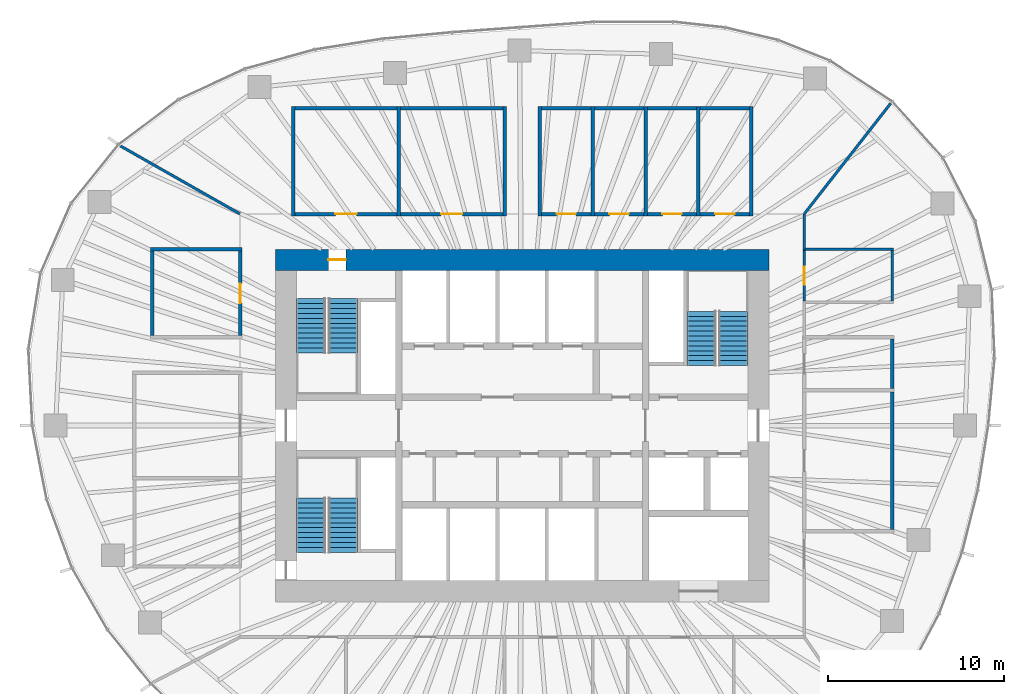
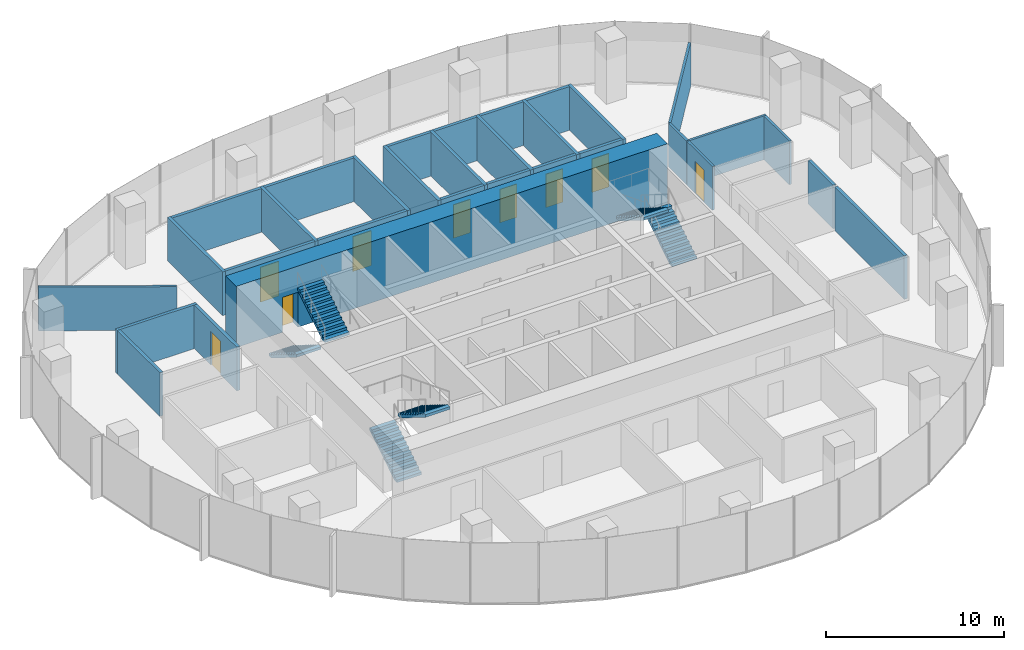
# One storey, part 10 of 11: 32 walls, 9 doors, 6 stair flights, 9 openings, 3 elements without a shape of their own.
"""IFC4 building model written with IfcOpenShell, lengths in metres."""

from ifc_helpers import new_model, si_unit, direction, frame, frame_2d, origin, place, context, subcontext, project, spatial, polyline, rectangle, outline, extrude, material, layer, layer_set, type_object, element, fill, aggregate, save


model = new_model("IFC4")

# Units and contexts
model_context = context("Model", 3, precision=1e-05, world=origin(), true_north=direction((0.0, 1.0)))
body_context = subcontext(model_context, "Body", "Model", "MODEL_VIEW")
ifc_project = project(units=[si_unit("LENGTHUNIT", "METRE"), si_unit("AREAUNIT", "SQUARE_METRE"), si_unit("VOLUMEUNIT", "CUBIC_METRE"), si_unit("PLANEANGLEUNIT", "RADIAN"), si_unit("MASSUNIT", "GRAM", prefix="KILO")], contexts=[model_context])

# Site, building, storey
site_placement = place(None, origin())
site = spatial("IfcSite", under=ifc_project, at=site_placement, CompositionType="ELEMENT")
building_placement = place(site_placement, origin())
building = spatial("IfcBuilding", under=site, at=building_placement, Name="Ghaith Harvest Tower", CompositionType="ELEMENT")
storey_placement = place(building_placement, frame((0.0, 0.0, 211.60009765625)))
storey = spatial("IfcBuildingStorey", under=building, at=storey_placement, Name="L46", CompositionType="ELEMENT", Elevation=211.60009765625)

# Walls
ifc_material_1 = material(Name="Twin-stud gypsum board, acoustic", Category="gypsum")
ifc_layer_1 = layer(ifc_material_1, 0.199951171875)
ifc_layer_set_1 = layer_set([ifc_layer_1], Name="ACOUSTIC PARTITION 200")
wall_type_1 = type_object("IfcWallType", Name="ACOUSTIC PARTITION 200", PredefinedType="PARTITIONING", material=ifc_layer_set_1)
for number, where, z_axis, x_axis, name in (
    (1, (-13.0, 11.89990234375, 0.0), (0.0, 0.0, 1.0), (0.0, 1.0, 0.0), "Partition L46 row N1 cross wall 1"),
    (2, (-7.0, 11.89990234375, 0.0), (0.0, 0.0, 1.0), (0.0, 1.0, 0.0), "Partition L46 row N1 cross wall 2"),
    (3, (-1.0, 11.89990234375, 0.0), (0.0, 0.0, 1.0), (0.0, 1.0, 0.0), "Partition L46 row N1 cross wall 3"),
):
    element("IfcWall", number, at=place(storey_placement, frame(where, z_axis=z_axis, x_axis=x_axis)), inside=storey, type_object=wall_type_1, Name=name, PredefinedType="PARTITIONING", context=body_context, shape_type="SweptSolid", body=[
        extrude(rectangle(XDim=6.2001953125, YDim=0.199951171875, at=frame_2d((3.10009765625, 0.0))), origin(), (0.0, 0.0, 1.0), 3.0),
    ])

# Wall, opening, door
wall_1_placement = place(storey_placement, frame((-12.89990234375, 12.0, 0.0), z_axis=(0.0, 0.0, 1.0), x_axis=(1.0, 0.0, 0.0)))
wall_1 = element("IfcWall", 4, at=wall_1_placement, inside=storey, type_object=wall_type_1, Name="Partition L46-01", PredefinedType="PARTITIONING", context=body_context, shape_type="SweptSolid", body=[
    extrude(rectangle(XDim=5.7998046875, YDim=0.199951171875, at=frame_2d((2.89990234375, 0.0))), origin(), (0.0, 0.0, 1.0), 3.0),
])
opening_1_placement = place(wall_1_placement, frame((2.300048828125, 0.0, 0.0)))
opening_1 = element("IfcOpeningElement", 5, at=opening_1_placement, cuts=wall_1, Name="Opening 46-022", PredefinedType="OPENING", context=body_context, shape_type="SweptSolid", body=[
    extrude(rectangle(XDim=1.199951171875, YDim=2.39990234375, at=frame_2d((0.60009765625, 1.199951171875))), frame((0.0, 0.10986328125, 0.0), z_axis=(0.0, -1.0, 0.0), x_axis=(1.0, 0.0, 0.0)), (0.0, 0.0, 1.0), 0.219970703125),
])
ifc_material_2 = material(Name="Timber door", Category="wood")
door_type_1 = type_object("IfcDoorType", Name="D11 GLAZED 1200x2400", OperationType="SINGLE_SWING_LEFT", PredefinedType="DOOR", material=ifc_material_2)
door_1_placement = place(opening_1_placement, origin())
door_1 = element("IfcDoor", 6, at=door_1_placement, inside=storey, type_object=door_type_1, Name="Meeting room door", OperationType="SINGLE_SWING_LEFT", OverallHeight=2.39990234375, OverallWidth=1.199951171875, PredefinedType="DOOR", context=body_context, shape_type="SweptSolid", body=[
    extrude(rectangle(XDim=1.199951171875, YDim=2.39990234375, at=frame_2d((0.60009765625, 1.199951171875))), frame((0.0, 0.02490234375, 0.0), z_axis=(0.0, -1.0, 0.0), x_axis=(1.0, 0.0, 0.0)), (0.0, 0.0, 1.0), 0.050048828125),
])
fill(opening_1, door_1)

# Wall
wall_2_placement = place(storey_placement, frame((-12.89990234375, 18.0, 0.0), z_axis=(0.0, 0.0, 1.0), x_axis=(1.0, 0.0, 0.0)))
element("IfcWall", 7, at=wall_2_placement, inside=storey, type_object=wall_type_1, Name="Partition L46-01", PredefinedType="PARTITIONING", context=body_context, shape_type="SweptSolid", body=[
    extrude(rectangle(XDim=5.7998046875, YDim=0.199951171875, at=frame_2d((2.89990234375, 0.0))), origin(), (0.0, 0.0, 1.0), 3.0),
])

# Wall, opening, door
wall_3_placement = place(storey_placement, frame((-6.89990234375, 12.0, 0.0), z_axis=(0.0, 0.0, 1.0), x_axis=(1.0, 0.0, 0.0)))
wall_3 = element("IfcWall", 8, at=wall_3_placement, inside=storey, type_object=wall_type_1, Name="Partition L46-02", PredefinedType="PARTITIONING", context=body_context, shape_type="SweptSolid", body=[
    extrude(rectangle(XDim=5.7998046875, YDim=0.199951171875, at=frame_2d((2.89990234375, 0.0))), origin(), (0.0, 0.0, 1.0), 3.0),
])
opening_2_placement = place(wall_3_placement, frame((2.300048828125, 0.0, 0.0)))
opening_2 = element("IfcOpeningElement", 9, at=opening_2_placement, cuts=wall_3, Name="Opening 46-023", PredefinedType="OPENING", context=body_context, shape_type="SweptSolid", body=[
    extrude(rectangle(XDim=1.199951171875, YDim=2.39990234375, at=frame_2d((0.60009765625, 1.199951171875))), frame((0.0, 0.10986328125, 0.0), z_axis=(0.0, -1.0, 0.0), x_axis=(1.0, 0.0, 0.0)), (0.0, 0.0, 1.0), 0.219970703125),
])
door_2_placement = place(opening_2_placement, origin())
door_2 = element("IfcDoor", 10, at=door_2_placement, inside=storey, type_object=door_type_1, Name="Meeting room door", OperationType="SINGLE_SWING_LEFT", OverallHeight=2.39990234375, OverallWidth=1.199951171875, PredefinedType="DOOR", context=body_context, shape_type="SweptSolid", body=[
    extrude(rectangle(XDim=1.199951171875, YDim=2.39990234375, at=frame_2d((0.60009765625, 1.199951171875))), frame((0.0, 0.02490234375, 0.0), z_axis=(0.0, -1.0, 0.0), x_axis=(1.0, 0.0, 0.0)), (0.0, 0.0, 1.0), 0.050048828125),
])
fill(opening_2, door_2)

# Walls
wall_4_placement = place(storey_placement, frame((-6.89990234375, 18.0, 0.0), z_axis=(0.0, 0.0, 1.0), x_axis=(1.0, 0.0, 0.0)))
element("IfcWall", 11, at=wall_4_placement, inside=storey, type_object=wall_type_1, Name="Partition L46-02", PredefinedType="PARTITIONING", context=body_context, shape_type="SweptSolid", body=[
    extrude(rectangle(XDim=5.7998046875, YDim=0.199951171875, at=frame_2d((2.89990234375, 0.0))), origin(), (0.0, 0.0, 1.0), 3.0),
])
for number, where, z_axis, x_axis, name in (
    (12, (1.0, 11.89990234375, 0.0), (0.0, 0.0, 1.0), (0.0, 1.0, 0.0), "Partition L46 row N2 cross wall 1"),
    (13, (4.0, 11.89990234375, 0.0), (0.0, 0.0, 1.0), (0.0, 1.0, 0.0), "Partition L46 row N2 cross wall 2"),
    (14, (7.0, 11.89990234375, 0.0), (0.0, 0.0, 1.0), (0.0, 1.0, 0.0), "Partition L46 row N2 cross wall 3"),
    (15, (10.0, 11.89990234375, 0.0), (0.0, 0.0, 1.0), (0.0, 1.0, 0.0), "Partition L46 row N2 cross wall 4"),
    (16, (13.0, 11.89990234375, 0.0), (0.0, 0.0, 1.0), (0.0, 1.0, 0.0), "Partition L46 row N2 cross wall 5"),
):
    element("IfcWall", number, at=place(storey_placement, frame(where, z_axis=z_axis, x_axis=x_axis)), inside=storey, type_object=wall_type_1, Name=name, PredefinedType="PARTITIONING", context=body_context, shape_type="SweptSolid", body=[
        extrude(rectangle(XDim=6.2001953125, YDim=0.199951171875, at=frame_2d((3.10009765625, 0.0))), origin(), (0.0, 0.0, 1.0), 3.0),
    ])

# Wall, opening, door
wall_5_placement = place(storey_placement, frame((1.10009765625, 12.0, 0.0), z_axis=(0.0, 0.0, 1.0), x_axis=(1.0, 0.0, 0.0)))
wall_5 = element("IfcWall", 17, at=wall_5_placement, inside=storey, type_object=wall_type_1, Name="Partition L46-03", PredefinedType="PARTITIONING", context=body_context, shape_type="SweptSolid", body=[
    extrude(rectangle(XDim=2.7998046875, YDim=0.199951171875, at=frame_2d((1.39990234375, 0.0))), origin(), (0.0, 0.0, 1.0), 3.0),
])
opening_3_placement = place(wall_5_placement, frame((0.85009765625, 0.0, 0.0)))
opening_3 = element("IfcOpeningElement", 18, at=opening_3_placement, cuts=wall_5, Name="Opening 46-024", PredefinedType="OPENING", context=body_context, shape_type="SweptSolid", body=[
    extrude(rectangle(XDim=1.10009765625, YDim=2.300048828125, at=frame_2d((0.550048828125, 1.14990234375))), frame((0.0, 0.10986328125, 0.0), z_axis=(0.0, -1.0, 0.0), x_axis=(1.0, 0.0, 0.0)), (0.0, 0.0, 1.0), 0.219970703125),
])
ifc_material_3 = material(Name="Timber-framed glazed door", Category="wood")
door_type_2 = type_object("IfcDoorType", Name="D12 GLAZED OFFICE 1100x2300", OperationType="SINGLE_SWING_LEFT", PredefinedType="DOOR", material=ifc_material_3)
door_3_placement = place(opening_3_placement, origin())
door_3 = element("IfcDoor", 19, at=door_3_placement, inside=storey, type_object=door_type_2, Name="Focus room door", OperationType="SINGLE_SWING_LEFT", OverallHeight=2.300048828125, OverallWidth=1.10009765625, PredefinedType="DOOR", context=body_context, shape_type="SweptSolid", body=[
    extrude(rectangle(XDim=1.10009765625, YDim=2.300048828125, at=frame_2d((0.550048828125, 1.14990234375))), frame((0.0, 0.02490234375, 0.0), z_axis=(0.0, -1.0, 0.0), x_axis=(1.0, 0.0, 0.0)), (0.0, 0.0, 1.0), 0.050048828125),
])
fill(opening_3, door_3)

# Wall
wall_6_placement = place(storey_placement, frame((1.10009765625, 18.0, 0.0), z_axis=(0.0, 0.0, 1.0), x_axis=(1.0, 0.0, 0.0)))
element("IfcWall", 20, at=wall_6_placement, inside=storey, type_object=wall_type_1, Name="Partition L46-03", PredefinedType="PARTITIONING", context=body_context, shape_type="SweptSolid", body=[
    extrude(rectangle(XDim=2.7998046875, YDim=0.199951171875, at=frame_2d((1.39990234375, 0.0))), origin(), (0.0, 0.0, 1.0), 3.0),
])

# Wall, opening, door
wall_7_placement = place(storey_placement, frame((4.10009765625, 12.0, 0.0), z_axis=(0.0, 0.0, 1.0), x_axis=(1.0, 0.0, 0.0)))
wall_7 = element("IfcWall", 21, at=wall_7_placement, inside=storey, type_object=wall_type_1, Name="Partition L46-04", PredefinedType="PARTITIONING", context=body_context, shape_type="SweptSolid", body=[
    extrude(rectangle(XDim=2.7998046875, YDim=0.199951171875, at=frame_2d((1.39990234375, 0.0))), origin(), (0.0, 0.0, 1.0), 3.0),
])
opening_4_placement = place(wall_7_placement, frame((0.85009765625, 0.0, 0.0)))
opening_4 = element("IfcOpeningElement", 22, at=opening_4_placement, cuts=wall_7, Name="Opening 46-025", PredefinedType="OPENING", context=body_context, shape_type="SweptSolid", body=[
    extrude(rectangle(XDim=1.10009765625, YDim=2.300048828125, at=frame_2d((0.550048828125, 1.14990234375))), frame((0.0, 0.10986328125, 0.0), z_axis=(0.0, -1.0, 0.0), x_axis=(1.0, 0.0, 0.0)), (0.0, 0.0, 1.0), 0.219970703125),
])
door_4_placement = place(opening_4_placement, origin())
door_4 = element("IfcDoor", 23, at=door_4_placement, inside=storey, type_object=door_type_2, Name="Focus room door", OperationType="SINGLE_SWING_LEFT", OverallHeight=2.300048828125, OverallWidth=1.10009765625, PredefinedType="DOOR", context=body_context, shape_type="SweptSolid", body=[
    extrude(rectangle(XDim=1.10009765625, YDim=2.300048828125, at=frame_2d((0.550048828125, 1.14990234375))), frame((0.0, 0.02490234375, 0.0), z_axis=(0.0, -1.0, 0.0), x_axis=(1.0, 0.0, 0.0)), (0.0, 0.0, 1.0), 0.050048828125),
])
fill(opening_4, door_4)

# Wall
wall_8_placement = place(storey_placement, frame((4.10009765625, 18.0, 0.0), z_axis=(0.0, 0.0, 1.0), x_axis=(1.0, 0.0, 0.0)))
element("IfcWall", 24, at=wall_8_placement, inside=storey, type_object=wall_type_1, Name="Partition L46-04", PredefinedType="PARTITIONING", context=body_context, shape_type="SweptSolid", body=[
    extrude(rectangle(XDim=2.7998046875, YDim=0.199951171875, at=frame_2d((1.39990234375, 0.0))), origin(), (0.0, 0.0, 1.0), 3.0),
])

# Wall, opening, door
wall_9_placement = place(storey_placement, frame((7.10009765625, 12.0, 0.0), z_axis=(0.0, 0.0, 1.0), x_axis=(1.0, 0.0, 0.0)))
wall_9 = element("IfcWall", 25, at=wall_9_placement, inside=storey, type_object=wall_type_1, Name="Partition L46-05", PredefinedType="PARTITIONING", context=body_context, shape_type="SweptSolid", body=[
    extrude(rectangle(XDim=2.7998046875, YDim=0.199951171875, at=frame_2d((1.39990234375, 0.0))), origin(), (0.0, 0.0, 1.0), 3.0),
])
opening_5_placement = place(wall_9_placement, frame((0.85009765625, 0.0, 0.0)))
opening_5 = element("IfcOpeningElement", 26, at=opening_5_placement, cuts=wall_9, Name="Opening 46-026", PredefinedType="OPENING", context=body_context, shape_type="SweptSolid", body=[
    extrude(rectangle(XDim=1.10009765625, YDim=2.300048828125, at=frame_2d((0.550048828125, 1.14990234375))), frame((0.0, 0.10986328125, 0.0), z_axis=(0.0, -1.0, 0.0), x_axis=(1.0, 0.0, 0.0)), (0.0, 0.0, 1.0), 0.219970703125),
])
door_5_placement = place(opening_5_placement, origin())
door_5 = element("IfcDoor", 27, at=door_5_placement, inside=storey, type_object=door_type_2, Name="Focus room door", OperationType="SINGLE_SWING_LEFT", OverallHeight=2.300048828125, OverallWidth=1.10009765625, PredefinedType="DOOR", context=body_context, shape_type="SweptSolid", body=[
    extrude(rectangle(XDim=1.10009765625, YDim=2.300048828125, at=frame_2d((0.550048828125, 1.14990234375))), frame((0.0, 0.02490234375, 0.0), z_axis=(0.0, -1.0, 0.0), x_axis=(1.0, 0.0, 0.0)), (0.0, 0.0, 1.0), 0.050048828125),
])
fill(opening_5, door_5)

# Wall
wall_10_placement = place(storey_placement, frame((7.10009765625, 18.0, 0.0), z_axis=(0.0, 0.0, 1.0), x_axis=(1.0, 0.0, 0.0)))
element("IfcWall", 28, at=wall_10_placement, inside=storey, type_object=wall_type_1, Name="Partition L46-05", PredefinedType="PARTITIONING", context=body_context, shape_type="SweptSolid", body=[
    extrude(rectangle(XDim=2.7998046875, YDim=0.199951171875, at=frame_2d((1.39990234375, 0.0))), origin(), (0.0, 0.0, 1.0), 3.0),
])

# Wall, opening, door
wall_11_placement = place(storey_placement, frame((10.10009765625, 12.0, 0.0), z_axis=(0.0, 0.0, 1.0), x_axis=(1.0, 0.0, 0.0)))
wall_11 = element("IfcWall", 29, at=wall_11_placement, inside=storey, type_object=wall_type_1, Name="Partition L46-06", PredefinedType="PARTITIONING", context=body_context, shape_type="SweptSolid", body=[
    extrude(rectangle(XDim=2.7998046875, YDim=0.199951171875, at=frame_2d((1.39990234375, 0.0))), origin(), (0.0, 0.0, 1.0), 3.0),
])
opening_6_placement = place(wall_11_placement, frame((0.85009765625, 0.0, 0.0)))
opening_6 = element("IfcOpeningElement", 30, at=opening_6_placement, cuts=wall_11, Name="Opening 46-027", PredefinedType="OPENING", context=body_context, shape_type="SweptSolid", body=[
    extrude(rectangle(XDim=1.10009765625, YDim=2.300048828125, at=frame_2d((0.550048828125, 1.14990234375))), frame((0.0, 0.10986328125, 0.0), z_axis=(0.0, -1.0, 0.0), x_axis=(1.0, 0.0, 0.0)), (0.0, 0.0, 1.0), 0.219970703125),
])
door_6_placement = place(opening_6_placement, origin())
door_6 = element("IfcDoor", 31, at=door_6_placement, inside=storey, type_object=door_type_2, Name="Focus room door", OperationType="SINGLE_SWING_LEFT", OverallHeight=2.300048828125, OverallWidth=1.10009765625, PredefinedType="DOOR", context=body_context, shape_type="SweptSolid", body=[
    extrude(rectangle(XDim=1.10009765625, YDim=2.300048828125, at=frame_2d((0.550048828125, 1.14990234375))), frame((0.0, 0.02490234375, 0.0), z_axis=(0.0, -1.0, 0.0), x_axis=(1.0, 0.0, 0.0)), (0.0, 0.0, 1.0), 0.050048828125),
])
fill(opening_6, door_6)

# Walls
wall_12_placement = place(storey_placement, frame((10.10009765625, 18.0, 0.0), z_axis=(0.0, 0.0, 1.0), x_axis=(1.0, 0.0, 0.0)))
element("IfcWall", 32, at=wall_12_placement, inside=storey, type_object=wall_type_1, Name="Partition L46-06", PredefinedType="PARTITIONING", context=body_context, shape_type="SweptSolid", body=[
    extrude(rectangle(XDim=2.7998046875, YDim=0.199951171875, at=frame_2d((1.39990234375, 0.0))), origin(), (0.0, 0.0, 1.0), 3.0),
])
wall_13_placement = place(storey_placement, frame((21.0, -5.89990234375, 0.0), z_axis=(0.0, 0.0, 1.0), x_axis=(0.0, 1.0, 0.0)))
element("IfcWall", 33, at=wall_13_placement, inside=storey, type_object=wall_type_1, Name="Partition L46-10", PredefinedType="PARTITIONING", context=body_context, shape_type="SweptSolid", body=[
    extrude(rectangle(XDim=7.7998046875, YDim=0.199951171875, at=frame_2d((3.89990234375, 0.0))), origin(), (0.0, 0.0, 1.0), 3.0),
])
wall_14_placement = place(storey_placement, frame((21.0, 2.10009765625, 0.0), z_axis=(0.0, 0.0, 1.0), x_axis=(0.0, 1.0, 0.0)))
element("IfcWall", 34, at=wall_14_placement, inside=storey, type_object=wall_type_1, Name="Partition L46-11", PredefinedType="PARTITIONING", context=body_context, shape_type="SweptSolid", body=[
    extrude(rectangle(XDim=2.7998046875, YDim=0.199951171875, at=frame_2d((1.39990234375, 0.0))), origin(), (0.0, 0.0, 1.0), 3.0),
])
wall_15_placement = place(storey_placement, frame((-15.89990234375, 10.0, 0.0), z_axis=(0.0, 0.0, 1.0), x_axis=(-1.0, 0.0, 0.0)))
element("IfcWall", 35, at=wall_15_placement, inside=storey, type_object=wall_type_1, Name="Partition L46 row W8 cross wall 2", PredefinedType="PARTITIONING", context=body_context, shape_type="SweptSolid", body=[
    extrude(rectangle(XDim=5.2001953125, YDim=0.199951171875, at=frame_2d((2.60009765625, 0.0))), origin(), (0.0, 0.0, 1.0), 3.0),
])

# Wall, opening, door
wall_16_placement = place(storey_placement, frame((-16.0, 5.10009765625, 0.0), z_axis=(0.0, 0.0, 1.0), x_axis=(0.0, 1.0, 0.0)))
wall_16 = element("IfcWall", 36, at=wall_16_placement, inside=storey, type_object=wall_type_1, Name="Partition L46-15", PredefinedType="PARTITIONING", context=body_context, shape_type="SweptSolid", body=[
    extrude(rectangle(XDim=4.7998046875, YDim=0.199951171875, at=frame_2d((2.39990234375, 0.0))), origin(), (0.0, 0.0, 1.0), 3.0),
])
opening_7_placement = place(wall_16_placement, frame((1.85009765625, 0.0, 0.0)))
opening_7 = element("IfcOpeningElement", 37, at=opening_7_placement, cuts=wall_16, Name="Opening 46-036", PredefinedType="OPENING", context=body_context, shape_type="SweptSolid", body=[
    extrude(rectangle(XDim=1.10009765625, YDim=2.300048828125, at=frame_2d((0.550048828125, 1.14990234375))), frame((0.0, 0.10986328125, 0.0), z_axis=(0.0, -1.0, 0.0), x_axis=(1.0, 0.0, 0.0)), (0.0, 0.0, 1.0), 0.219970703125),
])
door_7_placement = place(opening_7_placement, origin())
door_7 = element("IfcDoor", 38, at=door_7_placement, inside=storey, type_object=door_type_2, Name="Focus room door", OperationType="SINGLE_SWING_LEFT", OverallHeight=2.300048828125, OverallWidth=1.10009765625, PredefinedType="DOOR", context=body_context, shape_type="SweptSolid", body=[
    extrude(rectangle(XDim=1.10009765625, YDim=2.300048828125, at=frame_2d((0.550048828125, 1.14990234375))), frame((0.0, 0.02490234375, 0.0), z_axis=(0.0, -1.0, 0.0), x_axis=(1.0, 0.0, 0.0)), (0.0, 0.0, 1.0), 0.050048828125),
])
fill(opening_7, door_7)

# Wall
wall_17_placement = place(storey_placement, frame((-21.0, 5.10009765625, 0.0), z_axis=(0.0, 0.0, 1.0), x_axis=(0.0, 1.0, 0.0)))
element("IfcWall", 39, at=wall_17_placement, inside=storey, type_object=wall_type_1, Name="Partition L46-15", PredefinedType="PARTITIONING", context=body_context, shape_type="SweptSolid", body=[
    extrude(rectangle(XDim=4.7998046875, YDim=0.199951171875, at=frame_2d((2.39990234375, 0.0))), origin(), (0.0, 0.0, 1.0), 3.0),
])

# Wall, opening, door
ifc_material_4 = material(Name="Concrete C60/75", Category="concrete")
ifc_layer_2 = layer(ifc_material_4, 1.199951171875)
ifc_layer_set_2 = layer_set([ifc_layer_2], Name="CORE WALL CW1200 C60")
wall_type_2 = type_object("IfcWallType", Name="CORE WALL CW1200 C60", PredefinedType="SHEAR", material=ifc_layer_set_2)
wall_18_placement = place(storey_placement, frame((14.0, 9.39990234375, 0.0), z_axis=(0.0, 0.0, 1.0), x_axis=(-1.0, 0.0, 0.0)))
wall_18 = element("IfcWall", 40, at=wall_18_placement, inside=storey, type_object=wall_type_2, Name="Core wall N L46", PredefinedType="SHEAR", context=body_context, shape_type="SweptSolid", body=[
    extrude(rectangle(XDim=28.0, YDim=1.199951171875, at=frame_2d((14.0, 0.0))), origin(), (0.0, 0.0, 1.0), 4.199951171875),
])
opening_8_placement = place(wall_18_placement, frame((24.0, 0.0, 0.0)))
opening_8 = element("IfcOpeningElement", 41, at=opening_8_placement, cuts=wall_18, Name="Opening 46-005", PredefinedType="OPENING", context=body_context, shape_type="SweptSolid", body=[
    extrude(rectangle(XDim=1.0, YDim=2.39990234375, at=frame_2d((0.5, 1.199951171875))), frame((0.0, 0.60986328125, 0.0), z_axis=(0.0, -1.0, 0.0), x_axis=(1.0, 0.0, 0.0)), (0.0, 0.0, 1.0), 1.219970703125),
])
ifc_material_5 = material(Name="Steel fire door", Category="steel")
door_type_3 = type_object("IfcDoorType", Name="D3 FD90 1000x2400", OperationType="SINGLE_SWING_LEFT", PredefinedType="DOOR", material=ifc_material_5)
door_8_placement = place(opening_8_placement, origin())
door_8 = element("IfcDoor", 42, at=door_8_placement, inside=storey, type_object=door_type_3, Name="Stair ST1 door", OperationType="SINGLE_SWING_RIGHT", OverallHeight=2.39990234375, OverallWidth=1.0, PredefinedType="DOOR", context=body_context, shape_type="SweptSolid", body=[
    extrude(rectangle(XDim=1.0, YDim=2.39990234375, at=frame_2d((0.5, 1.199951171875))), frame((0.0, 0.02490234375, 0.0), z_axis=(0.0, -1.0, 0.0), x_axis=(1.0, 0.0, 0.0)), (0.0, 0.0, 1.0), 0.050048828125),
])
fill(opening_8, door_8)

# Wall
ifc_material_6 = material(Name="Gypsum board on steel studs", Category="steel")
ifc_layer_3 = layer(ifc_material_6, 0.14990234375)
ifc_layer_set_3 = layer_set([ifc_layer_3], Name="PARTITION 150")
wall_type_3 = type_object("IfcWallType", Name="PARTITION 150", PredefinedType="PARTITIONING", material=ifc_layer_set_3)
wall_19_placement = place(storey_placement, frame((15.925048828125, 10.0, 0.0), z_axis=(0.0, 0.0, 1.0), x_axis=(1.0, 0.0, 0.0)))
element("IfcWall", 43, at=wall_19_placement, inside=storey, type_object=wall_type_3, Name="Partition L46 row E7 cross wall 2", PredefinedType="PARTITIONING", context=body_context, shape_type="SweptSolid", body=[
    extrude(rectangle(XDim=5.14990234375, YDim=0.14990234375, at=frame_2d((2.574951171875, 0.0))), origin(), (0.0, 0.0, 1.0), 3.0),
])

# Wall, opening, door
wall_20_placement = place(storey_placement, frame((16.0, 7.074951171875, 0.0), z_axis=(0.0, 0.0, 1.0), x_axis=(0.0, 1.0, 0.0)))
wall_20 = element("IfcWall", 44, at=wall_20_placement, inside=storey, type_object=wall_type_3, Name="Partition L46-14", PredefinedType="PARTITIONING", context=body_context, shape_type="SweptSolid", body=[
    extrude(rectangle(XDim=2.85009765625, YDim=0.14990234375, at=frame_2d((1.425048828125, 0.0))), origin(), (0.0, 0.0, 1.0), 3.0),
])
opening_9_placement = place(wall_20_placement, frame((0.925048828125, 0.0, 0.0)))
opening_9 = element("IfcOpeningElement", 45, at=opening_9_placement, cuts=wall_20, Name="Opening 46-035", PredefinedType="OPENING", context=body_context, shape_type="SweptSolid", body=[
    extrude(rectangle(XDim=1.0, YDim=2.199951171875, at=frame_2d((0.5, 1.10009765625))), frame((0.0, 0.0849609375, 0.0), z_axis=(0.0, -1.0, 0.0), x_axis=(1.0, 0.0, 0.0)), (0.0, 0.0, 1.0), 0.169921875),
])
ifc_material_7 = material(Name="Timber door", Category="wood")
door_type_4 = type_object("IfcDoorType", Name="D1 SINGLE 1000x2200", OperationType="SINGLE_SWING_LEFT", PredefinedType="DOOR", material=ifc_material_7)
door_9_placement = place(opening_9_placement, origin())
door_9 = element("IfcDoor", 46, at=door_9_placement, inside=storey, type_object=door_type_4, Name="Store door", OperationType="SINGLE_SWING_LEFT", OverallHeight=2.199951171875, OverallWidth=1.0, PredefinedType="DOOR", context=body_context, shape_type="SweptSolid", body=[
    extrude(rectangle(XDim=1.0, YDim=2.199951171875, at=frame_2d((0.5, 1.10009765625))), frame((0.0, 0.02490234375, 0.0), z_axis=(0.0, -1.0, 0.0), x_axis=(1.0, 0.0, 0.0)), (0.0, 0.0, 1.0), 0.050048828125),
])
fill(opening_9, door_9)

# Walls
wall_21_placement = place(storey_placement, frame((21.0, 7.074951171875, 0.0), z_axis=(0.0, 0.0, 1.0), x_axis=(0.0, 1.0, 0.0)))
element("IfcWall", 47, at=wall_21_placement, inside=storey, type_object=wall_type_3, Name="Partition L46-14", PredefinedType="PARTITIONING", context=body_context, shape_type="SweptSolid", body=[
    extrude(rectangle(XDim=2.85009765625, YDim=0.14990234375, at=frame_2d((1.425048828125, 0.0))), origin(), (0.0, 0.0, 1.0), 3.0),
])
wall_22_placement = place(storey_placement, frame((-16.017333984375, 12.010009765625, 0.0), z_axis=(0.0, 0.0, 1.0), x_axis=(-0.869357432803, 0.494183826151, 0.0)))
element("IfcWall", 48, at=wall_22_placement, inside=storey, type_object=wall_type_3, Name="Partition L46 zone division", PredefinedType="PARTITIONING", context=body_context, shape_type="SweptSolid", body=[
    extrude(rectangle(XDim=7.791259765625, YDim=0.14990234375, at=frame_2d((3.8955078125, 0.0))), origin(), (0.0, 0.0, 1.0), 3.0),
])
wall_23_placement = place(storey_placement, frame((16.01220703125, 12.015625, 0.0), z_axis=(0.0, 0.0, 1.0), x_axis=(0.616030058222, 0.787722646219, 0.0)))
element("IfcWall", 49, at=wall_23_placement, inside=storey, type_object=wall_type_3, Name="Partition L46 zone division", PredefinedType="PARTITIONING", context=body_context, shape_type="SweptSolid", body=[
    extrude(rectangle(XDim=7.95166015625, YDim=0.14990234375, at=frame_2d((3.975830078125, 0.0))), origin(), (0.0, 0.0, 1.0), 3.0),
])
wall_24_placement = place(storey_placement, frame((16.0, 10.0, 0.0), z_axis=(0.0, 0.0, 1.0), x_axis=(0.0, 1.0, 0.0)))
element("IfcWall", 50, at=wall_24_placement, inside=storey, type_object=wall_type_3, Name="Partition L46 zone enclosure", PredefinedType="PARTITIONING", context=body_context, shape_type="SweptSolid", body=[
    extrude(rectangle(XDim=2.0, YDim=0.14990234375, at=frame_2d((1.0, 0.0))), origin(), (0.0, 0.0, 1.0), 3.0),
])

# Stair, stair flights
ifc_material_8 = material(Name="Concrete C40/50, precast", Category="concrete")
stair_type = type_object("IfcStairType", Name="CORE STAIR 24R", PredefinedType="HALF_TURN_STAIR", material=ifc_material_8)
stair_1_placement = place(storey_placement, origin())
stair_1 = element("IfcStair", 51, at=stair_1_placement, inside=storey, type_object=stair_type, Name="Stair ST1 L46", PredefinedType="HALF_TURN_STAIR")
ifc_material_9 = material(Name="Concrete C40/50, precast", Category="concrete")
stair_flight_type = type_object("IfcStairFlightType", Name="CORE FLIGHT 12R 1600", PredefinedType="STRAIGHT", material=ifc_material_9)
stair_flight_1_placement = place(storey_placement, frame((-12.0, 7.199951171875, 0.0), z_axis=(0.0, 0.0, 1.0), x_axis=(0.0, -1.0, 0.0)))
stair_flight_1 = element("IfcStairFlight", 52, at=stair_flight_1_placement, type_object=stair_flight_type, Name="ST1 flight 1", NumberOfRisers=12, NumberOfTreads=11, PredefinedType="STRAIGHT", RiserHeight=0.175, TreadLength=0.28, context=body_context, shape_type="SweptSolid", body=[
    extrude(outline(polyline([(0.0, 0.0), (0.0, 0.175048828125), (0.280029296875, 0.175048828125), (0.280029296875, 0.35009765625), (0.56005859375, 0.35009765625), (0.56005859375, 0.52490234375), (0.840087890625, 0.52490234375), (0.840087890625, 0.699951171875), (1.1201171875, 0.699951171875), (1.1201171875, 0.875), (1.39990234375, 0.875), (1.39990234375, 1.050048828125), (1.679931640625, 1.050048828125), (1.679931640625, 1.22509765625), (1.9599609375, 1.22509765625), (1.9599609375, 1.39990234375), (2.239990234375, 1.39990234375), (2.239990234375, 1.574951171875), (2.52001953125, 1.574951171875), (2.52001953125, 1.75), (2.800048828125, 1.75), (2.800048828125, 1.925048828125), (3.080078125, 1.925048828125), (3.080078125, 2.10009765625), (3.080078125, 1.748291015625), (0.28271484375, 0.0), (0.0, 0.0)])), frame((0.0, 0.800048828125, 0.0), z_axis=(0.0, -1.0, 0.0), x_axis=(1.0, 0.0, 0.0)), (0.0, 0.0, 1.0), 1.60009765625),
])
stair_flight_2_placement = place(storey_placement, frame((-10.14990234375, 4.1201171875, 2.099853515625), z_axis=(0.0, 0.0, 1.0), x_axis=(0.0, 1.0, 0.0)))
stair_flight_2 = element("IfcStairFlight", 53, at=stair_flight_2_placement, type_object=stair_flight_type, Name="ST1 flight 2", NumberOfRisers=12, NumberOfTreads=11, PredefinedType="STRAIGHT", RiserHeight=0.175, TreadLength=0.28, context=body_context, shape_type="SweptSolid", body=[
    extrude(outline(polyline([(0.0, 0.0), (0.0, 0.175048828125), (0.280029296875, 0.175048828125), (0.280029296875, 0.35009765625), (0.56005859375, 0.35009765625), (0.56005859375, 0.52490234375), (0.840087890625, 0.52490234375), (0.840087890625, 0.699951171875), (1.1201171875, 0.699951171875), (1.1201171875, 0.875), (1.39990234375, 0.875), (1.39990234375, 1.050048828125), (1.679931640625, 1.050048828125), (1.679931640625, 1.22509765625), (1.9599609375, 1.22509765625), (1.9599609375, 1.39990234375), (2.239990234375, 1.39990234375), (2.239990234375, 1.574951171875), (2.52001953125, 1.574951171875), (2.52001953125, 1.75), (2.800048828125, 1.75), (2.800048828125, 1.925048828125), (3.080078125, 1.925048828125), (3.080078125, 2.10009765625), (3.080078125, 1.748291015625), (0.28271484375, 0.0), (0.0, 0.0)])), frame((0.0, 0.800048828125, 0.0), z_axis=(0.0, -1.0, 0.0), x_axis=(1.0, 0.0, 0.0)), (0.0, 0.0, 1.0), 1.60009765625),
])
aggregate(stair_1, [stair_flight_1, stair_flight_2])

stair_2_placement = place(storey_placement, origin())
stair_2 = element("IfcStair", 54, at=stair_2_placement, inside=storey, type_object=stair_type, Name="Stair ST3 L46", PredefinedType="HALF_TURN_STAIR")
stair_flight_3_placement = place(storey_placement, frame((-12.0, -7.199951171875, 0.0), z_axis=(0.0, 0.0, 1.0), x_axis=(0.0, 1.0, 0.0)))
stair_flight_3 = element("IfcStairFlight", 55, at=stair_flight_3_placement, type_object=stair_flight_type, Name="ST3 flight 1", NumberOfRisers=12, NumberOfTreads=11, PredefinedType="STRAIGHT", RiserHeight=0.175, TreadLength=0.28, context=body_context, shape_type="SweptSolid", body=[
    extrude(outline(polyline([(0.0, 0.0), (0.0, 0.175048828125), (0.280029296875, 0.175048828125), (0.280029296875, 0.35009765625), (0.56005859375, 0.35009765625), (0.56005859375, 0.52490234375), (0.840087890625, 0.52490234375), (0.840087890625, 0.699951171875), (1.1201171875, 0.699951171875), (1.1201171875, 0.875), (1.39990234375, 0.875), (1.39990234375, 1.050048828125), (1.679931640625, 1.050048828125), (1.679931640625, 1.22509765625), (1.9599609375, 1.22509765625), (1.9599609375, 1.39990234375), (2.239990234375, 1.39990234375), (2.239990234375, 1.574951171875), (2.52001953125, 1.574951171875), (2.52001953125, 1.75), (2.800048828125, 1.75), (2.800048828125, 1.925048828125), (3.080078125, 1.925048828125), (3.080078125, 2.10009765625), (3.080078125, 1.748291015625), (0.28271484375, 0.0), (0.0, 0.0)])), frame((0.0, 0.800048828125, 0.0), z_axis=(0.0, -1.0, 0.0), x_axis=(1.0, 0.0, 0.0)), (0.0, 0.0, 1.0), 1.60009765625),
])
stair_flight_4_placement = place(storey_placement, frame((-10.14990234375, -4.1201171875, 2.099853515625), z_axis=(0.0, 0.0, 1.0), x_axis=(0.0, -1.0, 0.0)))
stair_flight_4 = element("IfcStairFlight", 56, at=stair_flight_4_placement, type_object=stair_flight_type, Name="ST3 flight 2", NumberOfRisers=12, NumberOfTreads=11, PredefinedType="STRAIGHT", RiserHeight=0.175, TreadLength=0.28, context=body_context, shape_type="SweptSolid", body=[
    extrude(outline(polyline([(0.0, 0.0), (0.0, 0.175048828125), (0.280029296875, 0.175048828125), (0.280029296875, 0.35009765625), (0.56005859375, 0.35009765625), (0.56005859375, 0.52490234375), (0.840087890625, 0.52490234375), (0.840087890625, 0.699951171875), (1.1201171875, 0.699951171875), (1.1201171875, 0.875), (1.39990234375, 0.875), (1.39990234375, 1.050048828125), (1.679931640625, 1.050048828125), (1.679931640625, 1.22509765625), (1.9599609375, 1.22509765625), (1.9599609375, 1.39990234375), (2.239990234375, 1.39990234375), (2.239990234375, 1.574951171875), (2.52001953125, 1.574951171875), (2.52001953125, 1.75), (2.800048828125, 1.75), (2.800048828125, 1.925048828125), (3.080078125, 1.925048828125), (3.080078125, 2.10009765625), (3.080078125, 1.748291015625), (0.28271484375, 0.0), (0.0, 0.0)])), frame((0.0, 0.800048828125, 0.0), z_axis=(0.0, -1.0, 0.0), x_axis=(1.0, 0.0, 0.0)), (0.0, 0.0, 1.0), 1.60009765625),
])
aggregate(stair_2, [stair_flight_3, stair_flight_4])

stair_3_placement = place(storey_placement, origin())
stair_3 = element("IfcStair", 57, at=stair_3_placement, inside=storey, type_object=stair_type, Name="Stair ST2 L46", PredefinedType="HALF_TURN_STAIR")
stair_flight_5_placement = place(storey_placement, frame((12.0, 3.39990234375, 0.0), z_axis=(0.0, 0.0, 1.0), x_axis=(0.0, 1.0, 0.0)))
stair_flight_5 = element("IfcStairFlight", 58, at=stair_flight_5_placement, type_object=stair_flight_type, Name="ST2 flight 1", NumberOfRisers=12, NumberOfTreads=11, PredefinedType="STRAIGHT", RiserHeight=0.175, TreadLength=0.28, context=body_context, shape_type="SweptSolid", body=[
    extrude(outline(polyline([(0.0, 0.0), (0.0, 0.175048828125), (0.280029296875, 0.175048828125), (0.280029296875, 0.35009765625), (0.56005859375, 0.35009765625), (0.56005859375, 0.52490234375), (0.840087890625, 0.52490234375), (0.840087890625, 0.699951171875), (1.1201171875, 0.699951171875), (1.1201171875, 0.875), (1.39990234375, 0.875), (1.39990234375, 1.050048828125), (1.679931640625, 1.050048828125), (1.679931640625, 1.22509765625), (1.9599609375, 1.22509765625), (1.9599609375, 1.39990234375), (2.239990234375, 1.39990234375), (2.239990234375, 1.574951171875), (2.52001953125, 1.574951171875), (2.52001953125, 1.75), (2.800048828125, 1.75), (2.800048828125, 1.925048828125), (3.080078125, 1.925048828125), (3.080078125, 2.10009765625), (3.080078125, 1.748291015625), (0.28271484375, 0.0), (0.0, 0.0)])), frame((0.0, 0.800048828125, 0.0), z_axis=(0.0, -1.0, 0.0), x_axis=(1.0, 0.0, 0.0)), (0.0, 0.0, 1.0), 1.60009765625),
])
stair_flight_6_placement = place(storey_placement, frame((10.14990234375, 6.47998046875, 2.099853515625), z_axis=(0.0, 0.0, 1.0), x_axis=(0.0, -1.0, 0.0)))
stair_flight_6 = element("IfcStairFlight", 59, at=stair_flight_6_placement, type_object=stair_flight_type, Name="ST2 flight 2", NumberOfRisers=12, NumberOfTreads=11, PredefinedType="STRAIGHT", RiserHeight=0.175, TreadLength=0.28, context=body_context, shape_type="SweptSolid", body=[
    extrude(outline(polyline([(0.0, 0.0), (0.0, 0.175048828125), (0.280029296875, 0.175048828125), (0.280029296875, 0.35009765625), (0.56005859375, 0.35009765625), (0.56005859375, 0.52490234375), (0.840087890625, 0.52490234375), (0.840087890625, 0.699951171875), (1.1201171875, 0.699951171875), (1.1201171875, 0.875), (1.39990234375, 0.875), (1.39990234375, 1.050048828125), (1.679931640625, 1.050048828125), (1.679931640625, 1.22509765625), (1.9599609375, 1.22509765625), (1.9599609375, 1.39990234375), (2.239990234375, 1.39990234375), (2.239990234375, 1.574951171875), (2.52001953125, 1.574951171875), (2.52001953125, 1.75), (2.800048828125, 1.75), (2.800048828125, 1.925048828125), (3.080078125, 1.925048828125), (3.080078125, 2.10009765625), (3.080078125, 1.748291015625), (0.28271484375, 0.0), (0.0, 0.0)])), frame((0.0, 0.800048828125, 0.0), z_axis=(0.0, -1.0, 0.0), x_axis=(1.0, 0.0, 0.0)), (0.0, 0.0, 1.0), 1.60009765625),
])
aggregate(stair_3, [stair_flight_5, stair_flight_6])

save(model, "model.ifc")
